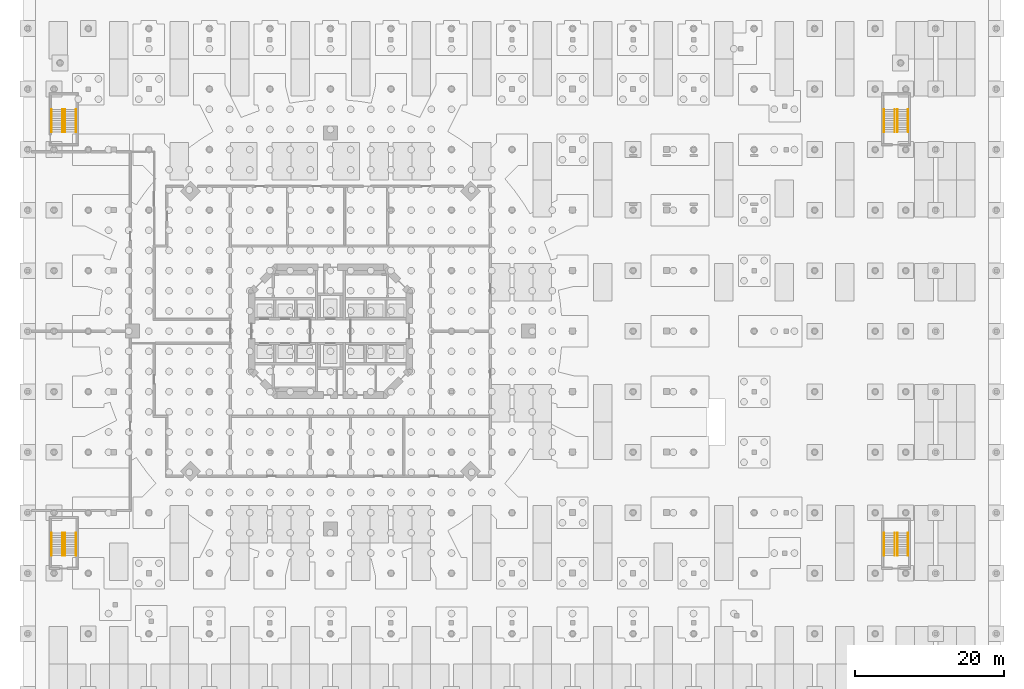
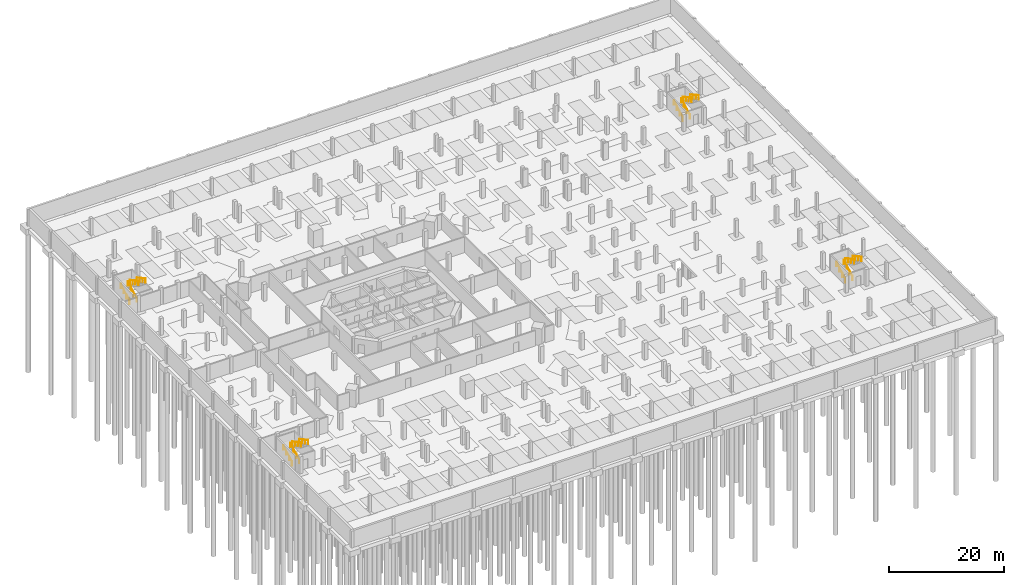
# One storey, part 22 of 23: 16 railings, 4 elements without a shape of their own.
"""IFC4 building model written with IfcOpenShell, lengths in metres."""

from ifc_helpers import new_model, si_unit, direction, frame, origin, origin_2d, place, context, subcontext, project, spatial, rectangle, extrude, material, type_object, element, aggregate, save


model = new_model("IFC4")

# Units and contexts
model_context = context("Model", 3, precision=1e-05, world=origin(), true_north=direction((0.0, 1.0)))
body_context = subcontext(model_context, "Body", "Model", "MODEL_VIEW")
ifc_project = project(units=[si_unit("LENGTHUNIT", "METRE"), si_unit("AREAUNIT", "SQUARE_METRE"), si_unit("VOLUMEUNIT", "CUBIC_METRE"), si_unit("PLANEANGLEUNIT", "RADIAN"), si_unit("MASSUNIT", "GRAM", prefix="KILO")], contexts=[model_context])

# Site, building, storey
site_placement = place(None, origin())
site = spatial("IfcSite", under=ifc_project, at=site_placement, CompositionType="ELEMENT")
building_placement = place(site_placement, origin())
building = spatial("IfcBuilding", under=site, at=building_placement, Name="Torre Triforio", CompositionType="ELEMENT")
storey_placement = place(building_placement, frame((0.0, 0.0, -10.800048828125)))
storey = spatial("IfcBuildingStorey", under=building, at=storey_placement, Name="B3", CompositionType="ELEMENT", Elevation=-10.800048828125)

# Stair, railings
ifc_material_1 = material(Name="Concrete C40", Category="concrete")
stair_type = type_object("IfcStairType", Name="Egress stair 1400 clear", PredefinedType="NOTDEFINED", material=ifc_material_1)
stair_1_placement = place(storey_placement, origin())
stair_1 = element("IfcStair", 1, at=stair_1_placement, inside=storey, type_object=stair_type, Name="Exit stair BS1 B3 to B2", PredefinedType="NOTDEFINED")
ifc_material_2 = material(Name="Stainless steel AISI 316", Category="steel")
railing_type = type_object("IfcRailingType", Name="Stair handrail 920", PredefinedType="HANDRAIL", material=ifc_material_2)
railing_1_placement = place(storey_placement, frame((-37.324951171875, -30.02490234375, 0.16357421875)))
railing_1 = element("IfcRailing", 2, at=railing_1_placement, type_object=railing_type, Name="Handrail BS1", PredefinedType="HANDRAIL", context=body_context, shape_type="SweptSolid", body=[
    extrude(rectangle(XDim=0.048095703125, YDim=0.048095703125, at=origin_2d()), frame((0.0, 0.0, 0.89599609375), z_axis=(0.0, 0.877881921179, 0.478877158013), x_axis=(-1.0, 0.0, 0.0)), (0.0, 0.0, 1.0), 3.417236328125),
    extrude(rectangle(XDim=0.0419921875, YDim=0.0419921875, at=origin_2d()), origin(), (0.0, 0.0, 1.0), 0.871826171875),
    extrude(rectangle(XDim=0.0419921875, YDim=0.0419921875, at=origin_2d()), frame((0.0, 1.0, 0.54541015625)), (0.0, 0.0, 1.0), 0.871826171875),
    extrude(rectangle(XDim=0.0419921875, YDim=0.0419921875, at=origin_2d()), frame((0.0, 2.0, 1.091064453125)), (0.0, 0.0, 1.0), 0.871826171875),
    extrude(rectangle(XDim=0.0419921875, YDim=0.0419921875, at=origin_2d()), frame((0.0, 3.0, 1.636474609375)), (0.0, 0.0, 1.0), 0.871826171875),
])
railing_2_placement = place(storey_placement, frame((-35.875, -30.02490234375, 0.16357421875)))
railing_2 = element("IfcRailing", 3, at=railing_2_placement, type_object=railing_type, Name="Handrail BS1", PredefinedType="HANDRAIL", context=body_context, shape_type="SweptSolid", body=[
    extrude(rectangle(XDim=0.048095703125, YDim=0.048095703125, at=origin_2d()), frame((0.0, 0.0, 0.89599609375), z_axis=(0.0, 0.877881921179, 0.478877158013), x_axis=(-1.0, 0.0, 0.0)), (0.0, 0.0, 1.0), 3.417236328125),
    extrude(rectangle(XDim=0.0419921875, YDim=0.0419921875, at=origin_2d()), origin(), (0.0, 0.0, 1.0), 0.871826171875),
    extrude(rectangle(XDim=0.0419921875, YDim=0.0419921875, at=origin_2d()), frame((0.0, 1.0, 0.54541015625)), (0.0, 0.0, 1.0), 0.871826171875),
    extrude(rectangle(XDim=0.0419921875, YDim=0.0419921875, at=origin_2d()), frame((0.0, 2.0, 1.091064453125)), (0.0, 0.0, 1.0), 0.871826171875),
    extrude(rectangle(XDim=0.0419921875, YDim=0.0419921875, at=origin_2d()), frame((0.0, 3.0, 1.636474609375)), (0.0, 0.0, 1.0), 0.871826171875),
])
railing_3_placement = place(storey_placement, frame((-35.52490234375, -27.02490234375, 1.963623046875)))
railing_3 = element("IfcRailing", 4, at=railing_3_placement, type_object=railing_type, Name="Handrail BS1", PredefinedType="HANDRAIL", context=body_context, shape_type="SweptSolid", body=[
    extrude(rectangle(XDim=0.048095703125, YDim=0.048095703125, at=origin_2d()), frame((0.0, 0.0, 0.89599609375), z_axis=(0.0, -0.877881921179, 0.478877158013), x_axis=(1.0, 0.0, 0.0)), (0.0, 0.0, 1.0), 3.417236328125),
    extrude(rectangle(XDim=0.0419921875, YDim=0.0419921875, at=origin_2d()), origin(), (0.0, 0.0, 1.0), 0.871826171875),
    extrude(rectangle(XDim=0.0419921875, YDim=0.0419921875, at=origin_2d()), frame((0.0, -1.0, 0.54541015625)), (0.0, 0.0, 1.0), 0.871826171875),
    extrude(rectangle(XDim=0.0419921875, YDim=0.0419921875, at=origin_2d()), frame((0.0, -2.0, 1.091064453125)), (0.0, 0.0, 1.0), 0.871826171875),
    extrude(rectangle(XDim=0.0419921875, YDim=0.0419921875, at=origin_2d()), frame((0.0, -3.0, 1.636474609375)), (0.0, 0.0, 1.0), 0.871826171875),
])
railing_4_placement = place(storey_placement, frame((-34.074951171875, -27.02490234375, 1.963623046875)))
railing_4 = element("IfcRailing", 5, at=railing_4_placement, type_object=railing_type, Name="Handrail BS1", PredefinedType="HANDRAIL", context=body_context, shape_type="SweptSolid", body=[
    extrude(rectangle(XDim=0.048095703125, YDim=0.048095703125, at=origin_2d()), frame((0.0, 0.0, 0.89599609375), z_axis=(0.0, -0.877881921179, 0.478877158013), x_axis=(1.0, 0.0, 0.0)), (0.0, 0.0, 1.0), 3.417236328125),
    extrude(rectangle(XDim=0.0419921875, YDim=0.0419921875, at=origin_2d()), origin(), (0.0, 0.0, 1.0), 0.871826171875),
    extrude(rectangle(XDim=0.0419921875, YDim=0.0419921875, at=origin_2d()), frame((0.0, -1.0, 0.54541015625)), (0.0, 0.0, 1.0), 0.871826171875),
    extrude(rectangle(XDim=0.0419921875, YDim=0.0419921875, at=origin_2d()), frame((0.0, -2.0, 1.091064453125)), (0.0, 0.0, 1.0), 0.871826171875),
    extrude(rectangle(XDim=0.0419921875, YDim=0.0419921875, at=origin_2d()), frame((0.0, -3.0, 1.636474609375)), (0.0, 0.0, 1.0), 0.871826171875),
])
aggregate(stair_1, [railing_1, railing_2, railing_3, railing_4])

stair_2_placement = place(storey_placement, origin())
stair_2 = element("IfcStair", 6, at=stair_2_placement, inside=storey, type_object=stair_type, Name="Exit stair BS2 B3 to B2", PredefinedType="NOTDEFINED")
railing_5_placement = place(storey_placement, frame((-37.324951171875, 26.675048828125, 0.16357421875)))
railing_5 = element("IfcRailing", 7, at=railing_5_placement, type_object=railing_type, Name="Handrail BS2", PredefinedType="HANDRAIL", context=body_context, shape_type="SweptSolid", body=[
    extrude(rectangle(XDim=0.048095703125, YDim=0.048095703125, at=origin_2d()), frame((0.0, 0.0, 0.89599609375), z_axis=(0.0, 0.877881921179, 0.478877158013), x_axis=(-1.0, 0.0, 0.0)), (0.0, 0.0, 1.0), 3.417236328125),
    extrude(rectangle(XDim=0.0419921875, YDim=0.0419921875, at=origin_2d()), origin(), (0.0, 0.0, 1.0), 0.871826171875),
    extrude(rectangle(XDim=0.0419921875, YDim=0.0419921875, at=origin_2d()), frame((0.0, 1.0, 0.54541015625)), (0.0, 0.0, 1.0), 0.871826171875),
    extrude(rectangle(XDim=0.0419921875, YDim=0.0419921875, at=origin_2d()), frame((0.0, 2.0, 1.091064453125)), (0.0, 0.0, 1.0), 0.871826171875),
    extrude(rectangle(XDim=0.0419921875, YDim=0.0419921875, at=origin_2d()), frame((0.0, 3.0, 1.636474609375)), (0.0, 0.0, 1.0), 0.871826171875),
])
railing_6_placement = place(storey_placement, frame((-35.875, 26.675048828125, 0.16357421875)))
railing_6 = element("IfcRailing", 8, at=railing_6_placement, type_object=railing_type, Name="Handrail BS2", PredefinedType="HANDRAIL", context=body_context, shape_type="SweptSolid", body=[
    extrude(rectangle(XDim=0.048095703125, YDim=0.048095703125, at=origin_2d()), frame((0.0, 0.0, 0.89599609375), z_axis=(0.0, 0.877881921179, 0.478877158013), x_axis=(-1.0, 0.0, 0.0)), (0.0, 0.0, 1.0), 3.417236328125),
    extrude(rectangle(XDim=0.0419921875, YDim=0.0419921875, at=origin_2d()), origin(), (0.0, 0.0, 1.0), 0.871826171875),
    extrude(rectangle(XDim=0.0419921875, YDim=0.0419921875, at=origin_2d()), frame((0.0, 1.0, 0.54541015625)), (0.0, 0.0, 1.0), 0.871826171875),
    extrude(rectangle(XDim=0.0419921875, YDim=0.0419921875, at=origin_2d()), frame((0.0, 2.0, 1.091064453125)), (0.0, 0.0, 1.0), 0.871826171875),
    extrude(rectangle(XDim=0.0419921875, YDim=0.0419921875, at=origin_2d()), frame((0.0, 3.0, 1.636474609375)), (0.0, 0.0, 1.0), 0.871826171875),
])
railing_7_placement = place(storey_placement, frame((-35.52490234375, 29.675048828125, 1.963623046875)))
railing_7 = element("IfcRailing", 9, at=railing_7_placement, type_object=railing_type, Name="Handrail BS2", PredefinedType="HANDRAIL", context=body_context, shape_type="SweptSolid", body=[
    extrude(rectangle(XDim=0.048095703125, YDim=0.048095703125, at=origin_2d()), frame((0.0, 0.0, 0.89599609375), z_axis=(0.0, -0.877881921179, 0.478877158013), x_axis=(1.0, 0.0, 0.0)), (0.0, 0.0, 1.0), 3.417236328125),
    extrude(rectangle(XDim=0.0419921875, YDim=0.0419921875, at=origin_2d()), origin(), (0.0, 0.0, 1.0), 0.871826171875),
    extrude(rectangle(XDim=0.0419921875, YDim=0.0419921875, at=origin_2d()), frame((0.0, -1.0, 0.54541015625)), (0.0, 0.0, 1.0), 0.871826171875),
    extrude(rectangle(XDim=0.0419921875, YDim=0.0419921875, at=origin_2d()), frame((0.0, -2.0, 1.091064453125)), (0.0, 0.0, 1.0), 0.871826171875),
    extrude(rectangle(XDim=0.0419921875, YDim=0.0419921875, at=origin_2d()), frame((0.0, -3.0, 1.636474609375)), (0.0, 0.0, 1.0), 0.871826171875),
])
railing_8_placement = place(storey_placement, frame((-34.074951171875, 29.675048828125, 1.963623046875)))
railing_8 = element("IfcRailing", 10, at=railing_8_placement, type_object=railing_type, Name="Handrail BS2", PredefinedType="HANDRAIL", context=body_context, shape_type="SweptSolid", body=[
    extrude(rectangle(XDim=0.048095703125, YDim=0.048095703125, at=origin_2d()), frame((0.0, 0.0, 0.89599609375), z_axis=(0.0, -0.877881921179, 0.478877158013), x_axis=(1.0, 0.0, 0.0)), (0.0, 0.0, 1.0), 3.417236328125),
    extrude(rectangle(XDim=0.0419921875, YDim=0.0419921875, at=origin_2d()), origin(), (0.0, 0.0, 1.0), 0.871826171875),
    extrude(rectangle(XDim=0.0419921875, YDim=0.0419921875, at=origin_2d()), frame((0.0, -1.0, 0.54541015625)), (0.0, 0.0, 1.0), 0.871826171875),
    extrude(rectangle(XDim=0.0419921875, YDim=0.0419921875, at=origin_2d()), frame((0.0, -2.0, 1.091064453125)), (0.0, 0.0, 1.0), 0.871826171875),
    extrude(rectangle(XDim=0.0419921875, YDim=0.0419921875, at=origin_2d()), frame((0.0, -3.0, 1.636474609375)), (0.0, 0.0, 1.0), 0.871826171875),
])
aggregate(stair_2, [railing_5, railing_6, railing_7, railing_8])

stair_3_placement = place(storey_placement, origin())
stair_3 = element("IfcStair", 11, at=stair_3_placement, inside=storey, type_object=stair_type, Name="Exit stair BS3 B3 to B2", PredefinedType="NOTDEFINED")
railing_9_placement = place(storey_placement, frame((74.074951171875, -30.02490234375, 0.16357421875)))
railing_9 = element("IfcRailing", 12, at=railing_9_placement, type_object=railing_type, Name="Handrail BS3", PredefinedType="HANDRAIL", context=body_context, shape_type="SweptSolid", body=[
    extrude(rectangle(XDim=0.048095703125, YDim=0.048095703125, at=origin_2d()), frame((0.0, 0.0, 0.89599609375), z_axis=(0.0, 0.877881921179, 0.478877158013), x_axis=(-1.0, 0.0, 0.0)), (0.0, 0.0, 1.0), 3.417236328125),
    extrude(rectangle(XDim=0.0419921875, YDim=0.0419921875, at=origin_2d()), origin(), (0.0, 0.0, 1.0), 0.871826171875),
    extrude(rectangle(XDim=0.0419921875, YDim=0.0419921875, at=origin_2d()), frame((0.0, 1.0, 0.54541015625)), (0.0, 0.0, 1.0), 0.871826171875),
    extrude(rectangle(XDim=0.0419921875, YDim=0.0419921875, at=origin_2d()), frame((0.0, 2.0, 1.091064453125)), (0.0, 0.0, 1.0), 0.871826171875),
    extrude(rectangle(XDim=0.0419921875, YDim=0.0419921875, at=origin_2d()), frame((0.0, 3.0, 1.636474609375)), (0.0, 0.0, 1.0), 0.871826171875),
])
railing_10_placement = place(storey_placement, frame((75.52490234375, -30.02490234375, 0.16357421875)))
railing_10 = element("IfcRailing", 13, at=railing_10_placement, type_object=railing_type, Name="Handrail BS3", PredefinedType="HANDRAIL", context=body_context, shape_type="SweptSolid", body=[
    extrude(rectangle(XDim=0.048095703125, YDim=0.048095703125, at=origin_2d()), frame((0.0, 0.0, 0.89599609375), z_axis=(0.0, 0.877881921179, 0.478877158013), x_axis=(-1.0, 0.0, 0.0)), (0.0, 0.0, 1.0), 3.417236328125),
    extrude(rectangle(XDim=0.0419921875, YDim=0.0419921875, at=origin_2d()), origin(), (0.0, 0.0, 1.0), 0.871826171875),
    extrude(rectangle(XDim=0.0419921875, YDim=0.0419921875, at=origin_2d()), frame((0.0, 1.0, 0.54541015625)), (0.0, 0.0, 1.0), 0.871826171875),
    extrude(rectangle(XDim=0.0419921875, YDim=0.0419921875, at=origin_2d()), frame((0.0, 2.0, 1.091064453125)), (0.0, 0.0, 1.0), 0.871826171875),
    extrude(rectangle(XDim=0.0419921875, YDim=0.0419921875, at=origin_2d()), frame((0.0, 3.0, 1.636474609375)), (0.0, 0.0, 1.0), 0.871826171875),
])
railing_11_placement = place(storey_placement, frame((75.875, -27.02490234375, 1.963623046875)))
railing_11 = element("IfcRailing", 14, at=railing_11_placement, type_object=railing_type, Name="Handrail BS3", PredefinedType="HANDRAIL", context=body_context, shape_type="SweptSolid", body=[
    extrude(rectangle(XDim=0.048095703125, YDim=0.048095703125, at=origin_2d()), frame((0.0, 0.0, 0.89599609375), z_axis=(0.0, -0.877881921179, 0.478877158013), x_axis=(1.0, 0.0, 0.0)), (0.0, 0.0, 1.0), 3.417236328125),
    extrude(rectangle(XDim=0.0419921875, YDim=0.0419921875, at=origin_2d()), origin(), (0.0, 0.0, 1.0), 0.871826171875),
    extrude(rectangle(XDim=0.0419921875, YDim=0.0419921875, at=origin_2d()), frame((0.0, -1.0, 0.54541015625)), (0.0, 0.0, 1.0), 0.871826171875),
    extrude(rectangle(XDim=0.0419921875, YDim=0.0419921875, at=origin_2d()), frame((0.0, -2.0, 1.091064453125)), (0.0, 0.0, 1.0), 0.871826171875),
    extrude(rectangle(XDim=0.0419921875, YDim=0.0419921875, at=origin_2d()), frame((0.0, -3.0, 1.636474609375)), (0.0, 0.0, 1.0), 0.871826171875),
])
railing_12_placement = place(storey_placement, frame((77.324951171875, -27.02490234375, 1.963623046875)))
railing_12 = element("IfcRailing", 15, at=railing_12_placement, type_object=railing_type, Name="Handrail BS3", PredefinedType="HANDRAIL", context=body_context, shape_type="SweptSolid", body=[
    extrude(rectangle(XDim=0.048095703125, YDim=0.048095703125, at=origin_2d()), frame((0.0, 0.0, 0.89599609375), z_axis=(0.0, -0.877881921179, 0.478877158013), x_axis=(1.0, 0.0, 0.0)), (0.0, 0.0, 1.0), 3.417236328125),
    extrude(rectangle(XDim=0.0419921875, YDim=0.0419921875, at=origin_2d()), origin(), (0.0, 0.0, 1.0), 0.871826171875),
    extrude(rectangle(XDim=0.0419921875, YDim=0.0419921875, at=origin_2d()), frame((0.0, -1.0, 0.54541015625)), (0.0, 0.0, 1.0), 0.871826171875),
    extrude(rectangle(XDim=0.0419921875, YDim=0.0419921875, at=origin_2d()), frame((0.0, -2.0, 1.091064453125)), (0.0, 0.0, 1.0), 0.871826171875),
    extrude(rectangle(XDim=0.0419921875, YDim=0.0419921875, at=origin_2d()), frame((0.0, -3.0, 1.636474609375)), (0.0, 0.0, 1.0), 0.871826171875),
])
aggregate(stair_3, [railing_9, railing_10, railing_11, railing_12])

stair_4_placement = place(storey_placement, origin())
stair_4 = element("IfcStair", 16, at=stair_4_placement, inside=storey, type_object=stair_type, Name="Exit stair BS4 B3 to B2", PredefinedType="NOTDEFINED")
railing_13_placement = place(storey_placement, frame((74.074951171875, 26.675048828125, 0.16357421875)))
railing_13 = element("IfcRailing", 17, at=railing_13_placement, type_object=railing_type, Name="Handrail BS4", PredefinedType="HANDRAIL", context=body_context, shape_type="SweptSolid", body=[
    extrude(rectangle(XDim=0.048095703125, YDim=0.048095703125, at=origin_2d()), frame((0.0, 0.0, 0.89599609375), z_axis=(0.0, 0.877881921179, 0.478877158013), x_axis=(-1.0, 0.0, 0.0)), (0.0, 0.0, 1.0), 3.417236328125),
    extrude(rectangle(XDim=0.0419921875, YDim=0.0419921875, at=origin_2d()), origin(), (0.0, 0.0, 1.0), 0.871826171875),
    extrude(rectangle(XDim=0.0419921875, YDim=0.0419921875, at=origin_2d()), frame((0.0, 1.0, 0.54541015625)), (0.0, 0.0, 1.0), 0.871826171875),
    extrude(rectangle(XDim=0.0419921875, YDim=0.0419921875, at=origin_2d()), frame((0.0, 2.0, 1.091064453125)), (0.0, 0.0, 1.0), 0.871826171875),
    extrude(rectangle(XDim=0.0419921875, YDim=0.0419921875, at=origin_2d()), frame((0.0, 3.0, 1.636474609375)), (0.0, 0.0, 1.0), 0.871826171875),
])
railing_14_placement = place(storey_placement, frame((75.52490234375, 26.675048828125, 0.16357421875)))
railing_14 = element("IfcRailing", 18, at=railing_14_placement, type_object=railing_type, Name="Handrail BS4", PredefinedType="HANDRAIL", context=body_context, shape_type="SweptSolid", body=[
    extrude(rectangle(XDim=0.048095703125, YDim=0.048095703125, at=origin_2d()), frame((0.0, 0.0, 0.89599609375), z_axis=(0.0, 0.877881921179, 0.478877158013), x_axis=(-1.0, 0.0, 0.0)), (0.0, 0.0, 1.0), 3.417236328125),
    extrude(rectangle(XDim=0.0419921875, YDim=0.0419921875, at=origin_2d()), origin(), (0.0, 0.0, 1.0), 0.871826171875),
    extrude(rectangle(XDim=0.0419921875, YDim=0.0419921875, at=origin_2d()), frame((0.0, 1.0, 0.54541015625)), (0.0, 0.0, 1.0), 0.871826171875),
    extrude(rectangle(XDim=0.0419921875, YDim=0.0419921875, at=origin_2d()), frame((0.0, 2.0, 1.091064453125)), (0.0, 0.0, 1.0), 0.871826171875),
    extrude(rectangle(XDim=0.0419921875, YDim=0.0419921875, at=origin_2d()), frame((0.0, 3.0, 1.636474609375)), (0.0, 0.0, 1.0), 0.871826171875),
])
railing_15_placement = place(storey_placement, frame((75.875, 29.675048828125, 1.963623046875)))
railing_15 = element("IfcRailing", 19, at=railing_15_placement, type_object=railing_type, Name="Handrail BS4", PredefinedType="HANDRAIL", context=body_context, shape_type="SweptSolid", body=[
    extrude(rectangle(XDim=0.048095703125, YDim=0.048095703125, at=origin_2d()), frame((0.0, 0.0, 0.89599609375), z_axis=(0.0, -0.877881921179, 0.478877158013), x_axis=(1.0, 0.0, 0.0)), (0.0, 0.0, 1.0), 3.417236328125),
    extrude(rectangle(XDim=0.0419921875, YDim=0.0419921875, at=origin_2d()), origin(), (0.0, 0.0, 1.0), 0.871826171875),
    extrude(rectangle(XDim=0.0419921875, YDim=0.0419921875, at=origin_2d()), frame((0.0, -1.0, 0.54541015625)), (0.0, 0.0, 1.0), 0.871826171875),
    extrude(rectangle(XDim=0.0419921875, YDim=0.0419921875, at=origin_2d()), frame((0.0, -2.0, 1.091064453125)), (0.0, 0.0, 1.0), 0.871826171875),
    extrude(rectangle(XDim=0.0419921875, YDim=0.0419921875, at=origin_2d()), frame((0.0, -3.0, 1.636474609375)), (0.0, 0.0, 1.0), 0.871826171875),
])
railing_16_placement = place(storey_placement, frame((77.324951171875, 29.675048828125, 1.963623046875)))
railing_16 = element("IfcRailing", 20, at=railing_16_placement, type_object=railing_type, Name="Handrail BS4", PredefinedType="HANDRAIL", context=body_context, shape_type="SweptSolid", body=[
    extrude(rectangle(XDim=0.048095703125, YDim=0.048095703125, at=origin_2d()), frame((0.0, 0.0, 0.89599609375), z_axis=(0.0, -0.877881921179, 0.478877158013), x_axis=(1.0, 0.0, 0.0)), (0.0, 0.0, 1.0), 3.417236328125),
    extrude(rectangle(XDim=0.0419921875, YDim=0.0419921875, at=origin_2d()), origin(), (0.0, 0.0, 1.0), 0.871826171875),
    extrude(rectangle(XDim=0.0419921875, YDim=0.0419921875, at=origin_2d()), frame((0.0, -1.0, 0.54541015625)), (0.0, 0.0, 1.0), 0.871826171875),
    extrude(rectangle(XDim=0.0419921875, YDim=0.0419921875, at=origin_2d()), frame((0.0, -2.0, 1.091064453125)), (0.0, 0.0, 1.0), 0.871826171875),
    extrude(rectangle(XDim=0.0419921875, YDim=0.0419921875, at=origin_2d()), frame((0.0, -3.0, 1.636474609375)), (0.0, 0.0, 1.0), 0.871826171875),
])
aggregate(stair_4, [railing_13, railing_14, railing_15, railing_16])

save(model, "model.ifc")
